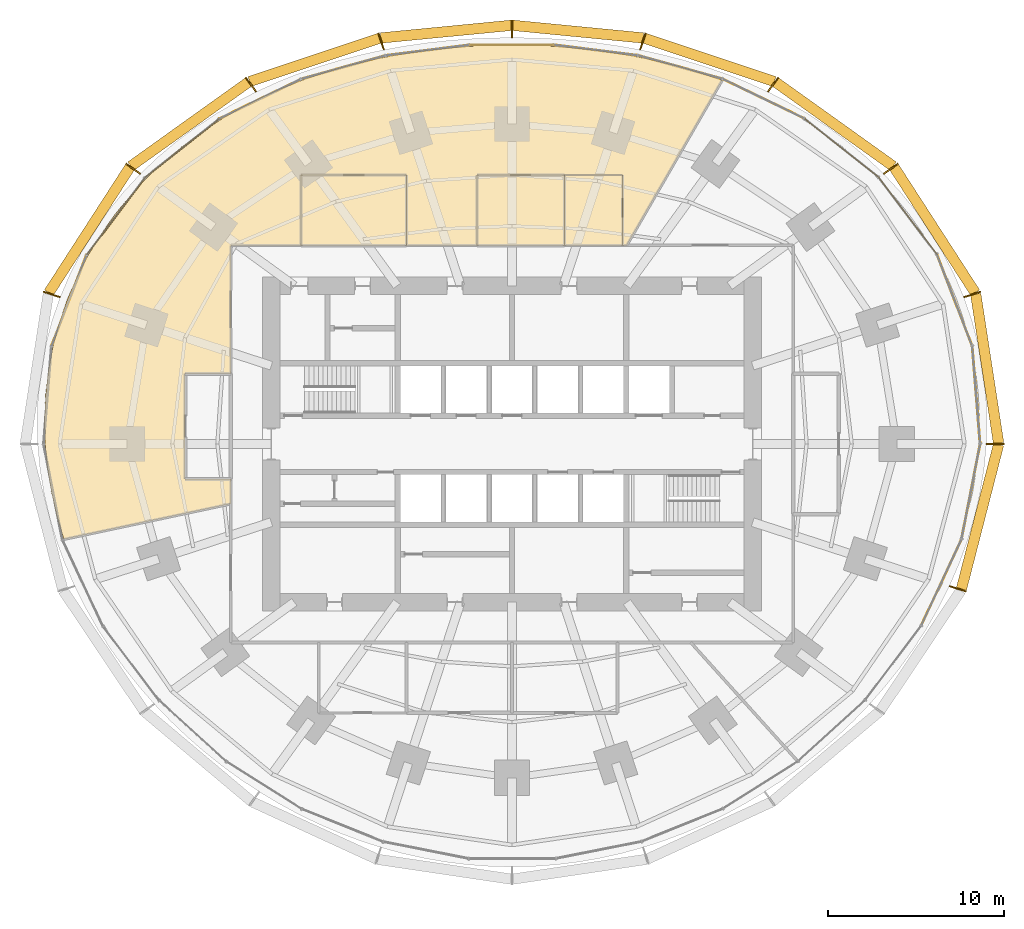
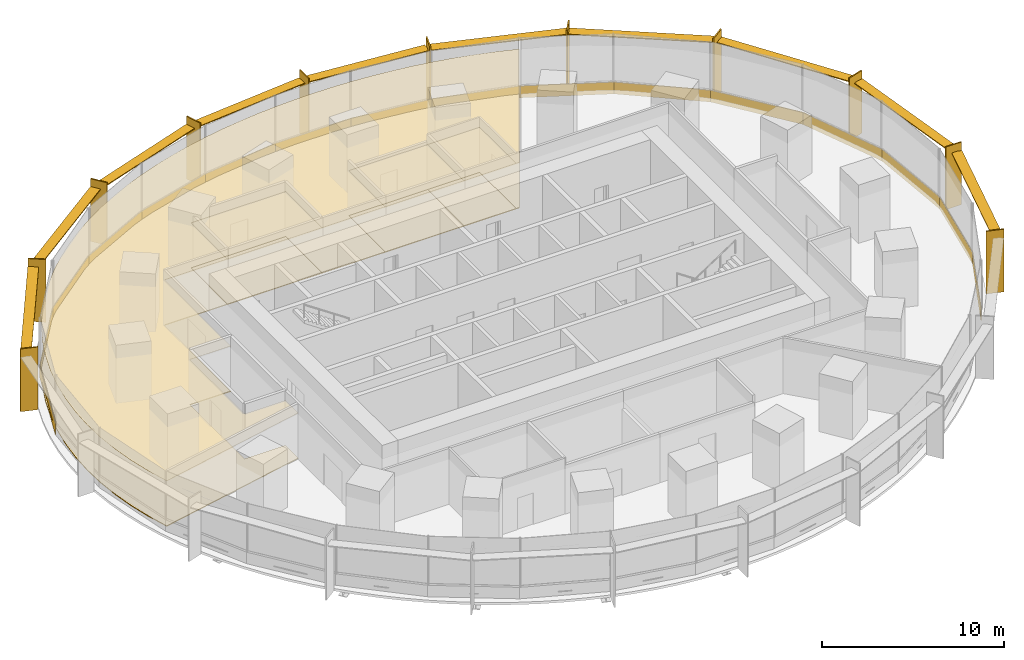
# One storey, part 15 of 15: 24 coverings, 21 shading devices.
"""IFC4 building model written with IfcOpenShell, lengths in metres."""

import ifcopenshell
import ifcopenshell.guid

model = None  # the IFC model being written
_history = None  # IfcOwnerHistory: only IFC2X3 demands one
_inside = {}  # id of a spatial element -> (the spatial element, [elements in it])
_under = {}  # id of a project, library or spatial element -> (it, [spatial elements below it])
_declared = {}  # id of a project -> (the project, [libraries it declares])
_typed = {}  # id of a type object -> (the type object, [elements of that type])
_made_of = {}  # id of a material, layer set ... -> (it, [elements and type objects made of it])


def new_model(schema):
    """Start an empty IFC model of exactly this schema.

    Asked for "IFC4X3", IfcOpenShell would pick the latest addendum, in which some entities
    have other attributes; the version numbers below select the first issue.
    IFC2X3 requires an IfcOwnerHistory on every rooted entity: one is made here for all.
    """
    global model, _history
    if schema == "IFC4X3":
        model = ifcopenshell.file(schema_version=(4, 3, 0, 0))
    else:
        model = ifcopenshell.file(schema=schema)
    _inside.clear()
    _under.clear()
    _declared.clear()
    _typed.clear()
    _made_of.clear()
    _history = None
    if model.schema == "IFC2X3":
        org = make("IfcOrganization", Name="unknown")
        user = make(
            "IfcPersonAndOrganization",
            ThePerson=make("IfcPerson", FamilyName="unknown"),
            TheOrganization=org,
        )
        app = make(
            "IfcApplication",
            ApplicationDeveloper=org,
            Version="unknown",
            ApplicationFullName="unknown",
            ApplicationIdentifier="unknown",
        )
        _history = make(
            "IfcOwnerHistory",
            OwningUser=user,
            OwningApplication=app,
            ChangeAction="ADDED",
            CreationDate=0,
        )
    return model


def make(cls, **values):
    """One entity of the class cls with the attributes given. An attribute that is None is left unset."""
    return model.create_entity(
        cls, **{name: value for name, value in values.items() if value is not None}
    )


def rooted(cls, **values):
    """An entity with a GlobalId (a new one), such as an element, a storey or a relation."""
    return make(cls, GlobalId=ifcopenshell.guid.new(), OwnerHistory=_history, **values)


def si_unit(unit_type, name, prefix=None):
    """IfcSIUnit, for example si_unit("LENGTHUNIT", "METRE", prefix="MILLI")."""
    return make("IfcSIUnit", UnitType=unit_type, Prefix=prefix, Name=name)


def assignment(units):
    """IfcUnitAssignment: the units of a project."""
    return None if units is None else make("IfcUnitAssignment", Units=units)


def point(xyz):
    """IfcCartesianPoint."""
    return None if xyz is None else make("IfcCartesianPoint", Coordinates=xyz)


def direction(xyz):
    """IfcDirection."""
    return None if xyz is None else make("IfcDirection", DirectionRatios=xyz)


def frame(location, z_axis=None, x_axis=None):
    """IfcAxis2Placement3D, a coordinate frame: its origin and axes. An axis left out is left unset."""
    return make(
        "IfcAxis2Placement3D",
        Location=point(location),
        Axis=direction(z_axis),
        RefDirection=direction(x_axis),
    )


def frame_2d(location, x_axis=None):
    """IfcAxis2Placement2D, a coordinate frame in the plane: its origin and x axis."""
    return make(
        "IfcAxis2Placement2D", Location=point(location), RefDirection=direction(x_axis)
    )


def origin():
    """The frame at (0, 0, 0) with its axes left unset."""
    return frame((0.0, 0.0, 0.0))


def origin_2d():
    """The frame at (0, 0) in the plane with its x axis left unset."""
    return frame_2d((0.0, 0.0))


def place(relative_to, where):
    """IfcLocalPlacement: puts the frame where relative to a parent placement (None: the world)."""
    return make(
        "IfcLocalPlacement", PlacementRelTo=relative_to, RelativePlacement=where
    )


def context(
    kind, dimensions, precision=None, world=None, true_north=None, identifier=None
):
    """IfcGeometricRepresentationContext, for example the 3D "Model" context."""
    return make(
        "IfcGeometricRepresentationContext",
        ContextIdentifier=identifier,
        ContextType=kind,
        CoordinateSpaceDimension=dimensions,
        Precision=precision,
        WorldCoordinateSystem=world,
        TrueNorth=true_north,
    )


def subcontext(parent, identifier, kind, view, scale=None):
    """IfcGeometricRepresentationSubContext, for example "Body" below "Model"."""
    return make(
        "IfcGeometricRepresentationSubContext",
        ContextIdentifier=identifier,
        ContextType=kind,
        ParentContext=parent,
        TargetScale=scale,
        TargetView=view,
    )


def project(units=None, contexts=None):
    """IfcProject with its units and contexts."""
    return rooted(
        "IfcProject",
        Name="project",
        RepresentationContexts=contexts,
        UnitsInContext=assignment(units),
    )


def spatial(cls, under=None, at=None, **own):
    """A site, building, storey or space (cls), placed at a placement, below another one or the project."""
    s = rooted(cls, ObjectPlacement=at, **own)
    if under is not None:
        _under.setdefault(under.id(), (under, []))[1].append(s)
    return s


def polyline(points):
    """IfcPolyline through the points."""
    return make("IfcPolyline", Points=[point(p) for p in points])


def profile(cls, at=None, kind="AREA", **sizes):
    """A parametric profile (cls). Its sizes go by their IFC names, for example OverallWidth=200.0."""
    return make(cls, ProfileType=kind, Position=at, **sizes)


def rectangle(**sizes):
    """IfcRectangleProfileDef."""
    return profile("IfcRectangleProfileDef", **sizes)


def outline(outer, holes=None, kind="AREA"):
    """IfcArbitraryClosedProfileDef: a profile drawn as a closed curve; with holes, ...WithVoids."""
    if holes is None:
        return make("IfcArbitraryClosedProfileDef", ProfileType=kind, OuterCurve=outer)
    return make(
        "IfcArbitraryProfileDefWithVoids",
        ProfileType=kind,
        OuterCurve=outer,
        InnerCurves=holes,
    )


def extrude(swept, where, along, depth):
    """IfcExtrudedAreaSolid: the profile swept, set in the frame where, extruded along a direction by depth."""
    return make(
        "IfcExtrudedAreaSolid",
        SweptArea=swept,
        Position=where,
        ExtrudedDirection=direction(along),
        Depth=depth,
    )


def shape(context_of_items, identifier, shape_type, items):
    """IfcShapeRepresentation: the items that make up one representation, for example the "Body"."""
    return make(
        "IfcShapeRepresentation",
        ContextOfItems=context_of_items,
        RepresentationIdentifier=identifier,
        RepresentationType=shape_type,
        Items=items,
    )


def material(Name=None, Category=None):
    """IfcMaterial."""
    return make("IfcMaterial", Name=Name, Category=Category)


def layer(
    of_material, thickness, ventilated=None, Name=None, Category=None, Priority=None
):
    """IfcMaterialLayer: one layer of a wall or slab, of a material (None: an air gap)."""
    return make(
        "IfcMaterialLayer",
        Material=of_material,
        LayerThickness=thickness,
        IsVentilated=ventilated,
        Name=Name,
        Category=Category,
        Priority=Priority,
    )


def layer_set(layers, Name=None):
    """IfcMaterialLayerSet."""
    return make("IfcMaterialLayerSet", MaterialLayers=layers, LayerSetName=Name)


def made_of(thing, what):
    """Note that an element or type object is made of a material, layer set ...; save() writes the relation."""
    if what is not None:
        _made_of.setdefault(what.id(), (what, []))[1].append(thing)
    return thing


def type_object(cls, material=None, **own):
    """A type object (cls), such as IfcWallType, which elements share."""
    return made_of(rooted(cls, **own), material)


def element(
    cls,
    number,
    at=None,
    inside=None,
    cuts=None,
    type_object=None,
    material=None,
    context=None,
    identifier="Body",
    shape_type=None,
    held_by="IfcProductDefinitionShape",
    body=None,
    shapes=None,
    **own,
):
    """One element of the class cls, such as IfcWall. Its Tag is "e" and its number.

    at: its placement. inside: the storey or other place that contains it. cuts: it is an
    opening in that element (IfcRelVoidsElement). A single representation is given by context,
    identifier, shape_type and body (its items); several are given by shapes. held_by: the class
    of the entity that holds the representations. save() writes the other relations.
    """
    e = rooted(cls, Tag="e%d" % number, ObjectPlacement=at, **own)
    if body is not None:
        shapes = [shape(context, identifier, shape_type, body)]
    if shapes is not None:
        e.Representation = make(held_by, Representations=shapes)
    if inside is not None:
        _inside.setdefault(inside.id(), (inside, []))[1].append(e)
    if cuts is not None:
        rooted(
            "IfcRelVoidsElement", RelatingBuildingElement=cuts, RelatedOpeningElement=e
        )
    if type_object is not None:
        _typed.setdefault(type_object.id(), (type_object, []))[1].append(e)
    return made_of(e, material)


def aggregate(whole, parts):
    """IfcRelAggregates: a whole, such as a stair, and the parts it consists of."""
    return rooted("IfcRelAggregates", RelatingObject=whole, RelatedObjects=parts)


def save(model, path):
    """Write the relations noted so far, then the file.

    IfcRelAggregates (storeys below a building ...), IfcRelContainedInSpatialStructure (elements
    in a storey), IfcRelDefinesByType, IfcRelAssociatesMaterial and IfcRelDeclares: one each for
    every whole, place, type object, material and project.
    """
    for whole, parts in _under.values():
        aggregate(whole, parts)
    for where, things in _inside.values():
        rooted(
            "IfcRelContainedInSpatialStructure",
            RelatedElements=things,
            RelatingStructure=where,
        )
    for kind, things in _typed.values():
        rooted("IfcRelDefinesByType", RelatedObjects=things, RelatingType=kind)
    for what, things in _made_of.values():
        rooted("IfcRelAssociatesMaterial", RelatedObjects=things, RelatingMaterial=what)
    for by, libraries in _declared.values():
        rooted("IfcRelDeclares", RelatingContext=by, RelatedDefinitions=libraries)
    model.write(path)


model = new_model("IFC4")

# Units and contexts
model_context = context("Model", 3, precision=1e-05, world=origin(), true_north=direction((0.0, 1.0)))
body_context = subcontext(model_context, "Body", "Model", "MODEL_VIEW")
ifc_project = project(units=[si_unit("LENGTHUNIT", "METRE"), si_unit("AREAUNIT", "SQUARE_METRE"), si_unit("VOLUMEUNIT", "CUBIC_METRE"), si_unit("PLANEANGLEUNIT", "RADIAN"), si_unit("MASSUNIT", "GRAM", prefix="KILO")], contexts=[model_context])

# Site, building, storey
site_placement = place(None, origin())
site = spatial("IfcSite", under=ifc_project, at=site_placement, CompositionType="ELEMENT")
building_placement = place(site_placement, origin())
building = spatial("IfcBuilding", under=site, at=building_placement, Name="Marramba Exchange Tower", CompositionType="ELEMENT")
storey_placement = place(building_placement, frame((0.0, 0.0, 53.199951171875)))
storey = spatial("IfcBuildingStorey", under=building, at=storey_placement, Name="L12", CompositionType="ELEMENT", Elevation=53.199951171875)

# Shading devices
ifc_material_1 = material(Name="Aluminium blade, timber-look bronze finish", Category="wood")
ifc_layer_1 = layer(ifc_material_1, 0.080078125)
ifc_layer_set_1 = layer_set([ifc_layer_1], Name="Floor-edge blade 1000x80")
shading_device_type_1 = type_object("IfcShadingDeviceType", Name="Floor-edge blade 1000x80", PredefinedType="USERDEFINED", material=ifc_layer_set_1)
for number, where, z_axis, x_axis, name in (
    (1, (27.5, 0.0, -0.16015625), (0.0, 0.0, 1.0), (1.0, 0.0, 0.0), "Floor-edge blade FB1 L12 TC01"),
    (2, (26.193115234375, 8.5107421875, -0.16015625), (0.0, 0.0, 1.0), (0.951056516295, 0.309016994375, 0.0), "Floor-edge blade FB1 L12 TC02"),
    (3, (21.56298828125, 15.66650390625, -0.16015625), (0.0, 0.0, 1.0), (0.809016994375, 0.587785252292, 0.0), "Floor-edge blade FB1 L12 TC03"),
    (4, (14.857666015625, 20.449951171875, -0.16015625), (0.0, 0.0, 1.0), (0.587785252292, 0.809016994375, 0.0), "Floor-edge blade FB1 L12 TC04"),
    (5, (7.444091796875, 22.910888671875, -0.16015625), (0.0, 0.0, 1.0), (0.309016994375, 0.951056516295, 0.0), "Floor-edge blade FB1 L12 TC05"),
    (6, (0.0, 23.6279296875, -0.16015625), (0.0, 0.0, 1.0), (0.0, 1.0, 0.0), "Floor-edge blade FB1 L12 TC06"),
    (7, (-7.444091796875, 22.910888671875, -0.16015625), (0.0, 0.0, 1.0), (-0.309016994375, 0.951056516295, 0.0), "Floor-edge blade FB1 L12 TC07"),
    (8, (-14.857666015625, 20.449951171875, -0.16015625), (0.0, 0.0, 1.0), (-0.587785252292, 0.809016994375, 0.0), "Floor-edge blade FB1 L12 TC08"),
    (9, (-21.56298828125, 15.66650390625, -0.16015625), (0.0, 0.0, 1.0), (-0.809016994375, 0.587785252292, 0.0), "Floor-edge blade FB1 L12 TC09"),
    (10, (-26.193115234375, 8.5107421875, -0.16015625), (0.0, 0.0, 1.0), (-0.951056516295, 0.309016994375, 0.0), "Floor-edge blade FB1 L12 TC10"),
    (11, (25.3740234375, -8.24462890625, -0.16015625), (0.0, 0.0, 1.0), (0.951056516295, -0.309016994375, 0.0), "Floor-edge blade FB1 L12 TC20"),
):
    element("IfcShadingDevice", number, at=place(storey_placement, frame(where, z_axis=z_axis, x_axis=x_axis)), inside=storey, type_object=shading_device_type_1, Name=name, ObjectType="FIN", PredefinedType="USERDEFINED", context=body_context, shape_type="SweptSolid", body=[
        extrude(rectangle(XDim=1.0, YDim=0.080078125, at=origin_2d()), origin(), (0.0, 0.0, 1.0), 4.199951171875),
    ])

# Coverings
ifc_material_2 = material(Name="Steel raised access floor panels", Category="steel")
ifc_layer_2 = layer(ifc_material_2, 0.050048828125)
ifc_layer_set_2 = layer_set([ifc_layer_2], Name="Raised access floor 300")
covering_type_1 = type_object("IfcCoveringType", Name="Raised access floor 300", PredefinedType="FLOORING", material=ifc_layer_set_2)
covering_1_placement = place(storey_placement, frame((0.0, 0.0, 0.25)))
element("IfcCovering", 12, at=covering_1_placement, inside=storey, type_object=covering_type_1, Name="Raised access floor RAF1 L12 Trading Floor 2", PredefinedType="FLOORING", context=body_context, shape_type="SweptSolid", body=[
    extrude(outline(polyline([(-16.0, 4.0), (-18.60009765625, 4.0), (-18.60009765625, -2.0), (-16.0, -2.0), (-16.0, -3.40087890625), (-25.50634765625, -5.421630859375), (-25.9013671875, -4.102294921875), (-26.213623046875, -2.755126953125), (-26.43798828125, -1.385498046875), (-26.570068359375, 0.0), (-26.6064453125, 1.394287109375), (-26.544921875, 2.7900390625), (-26.3837890625, 4.1787109375), (-26.123291015625, 5.552734375), (-25.763916015625, 6.9033203125), (-25.30859375, 8.22314453125), (-24.76025390625, 9.50439453125), (-24.12353515625, 10.740478515625), (-23.40380859375, 11.9248046875), (-22.607177734375, 13.05224609375), (-21.740478515625, 14.118408203125), (-20.810791015625, 15.119873046875), (-19.8251953125, 16.05419921875), (-18.791259765625, 16.919677734375), (-17.71630859375, 17.71630859375), (-16.60693359375, 18.44384765625), (-15.4697265625, 19.103759765625), (-14.31103515625, 19.697509765625), (-13.135986328125, 20.2275390625), (-11.94921875, 20.69677734375), (-10.755126953125, 21.10791015625), (-9.556640625, 21.464599609375), (-8.356689453125, 21.76953125), (-7.15673828125, 22.0263671875), (-5.95849609375, 22.23779296875), (-4.7626953125, 22.406982421875), (-3.5693359375, 22.535888671875), (-2.378173828125, 22.62646484375), (-1.188720703125, 22.68017578125), (0.0, 22.697998046875), (1.188720703125, 22.68017578125), (2.378173828125, 22.62646484375), (3.5693359375, 22.535888671875), (4.7626953125, 22.406982421875), (5.95849609375, 22.23779296875), (7.15673828125, 22.0263671875), (8.356689453125, 21.76953125), (9.556640625, 21.464599609375), (10.755126953125, 21.10791015625), (11.94921875, 20.69677734375), (11.58154296875, 20.059814453125), (6.524169921875, 11.300048828125), (6.300048828125, 11.300048828125), (6.300048828125, 15.300048828125), (3.0, 15.300048828125), (-2.0, 15.300048828125), (-2.0, 11.300048828125), (-6.0, 11.300048828125), (-6.0, 15.300048828125), (-12.0, 15.300048828125), (-12.0, 11.300048828125), (-16.0, 11.300048828125), (-16.0, 4.0)])), origin(), (0.0, 0.0, 1.0), 0.050048828125),
])
covering_2_placement = place(storey_placement, frame((0.0, 0.0, 0.25)))
element("IfcCovering", 13, at=covering_2_placement, inside=storey, type_object=covering_type_1, Name="Raised access floor RAF1 L12 Meeting Room 1", PredefinedType="FLOORING", context=body_context, shape_type="SweptSolid", body=[
    extrude(outline(polyline([(3.0, 11.300048828125), (-2.0, 11.300048828125), (-2.0, 15.300048828125), (3.0, 15.300048828125), (3.0, 11.300048828125)])), origin(), (0.0, 0.0, 1.0), 0.050048828125),
])
covering_3_placement = place(storey_placement, frame((0.0, 0.0, 0.25)))
element("IfcCovering", 14, at=covering_3_placement, inside=storey, type_object=covering_type_1, Name="Raised access floor RAF1 L12 Pantry 1", PredefinedType="FLOORING", context=body_context, shape_type="SweptSolid", body=[
    extrude(outline(polyline([(6.300048828125, 11.300048828125), (3.0, 11.300048828125), (3.0, 15.300048828125), (6.300048828125, 15.300048828125), (6.300048828125, 11.300048828125)])), origin(), (0.0, 0.0, 1.0), 0.050048828125),
])
covering_4_placement = place(storey_placement, frame((0.0, 0.0, 0.25)))
element("IfcCovering", 15, at=covering_4_placement, inside=storey, type_object=covering_type_1, Name="Raised access floor RAF1 L12 Meeting Room 2", PredefinedType="FLOORING", context=body_context, shape_type="SweptSolid", body=[
    extrude(outline(polyline([(-6.0, 11.300048828125), (-12.0, 11.300048828125), (-12.0, 15.300048828125), (-6.0, 15.300048828125), (-6.0, 11.300048828125)])), origin(), (0.0, 0.0, 1.0), 0.050048828125),
])

# Shading devices
ifc_material_3 = material(Name="Aluminium sunshade, bronze anodised", Category="aluminium")
ifc_layer_3 = layer(ifc_material_3, 0.06005859375)
ifc_layer_set_3 = layer_set([ifc_layer_3], Name="SUNSHADE blade 600x60")
shading_device_type_2 = type_object("IfcShadingDeviceType", Name="SUNSHADE blade 600x60", PredefinedType="USERDEFINED", material=ifc_layer_set_3)
shading_device_1_placement = place(storey_placement, frame((27.04150390625, 4.2861328125, 3.4599609375), z_axis=(0.0, 0.0, 1.0), x_axis=(-0.151825486228, 0.988407315701, 0.0)))
element("IfcShadingDevice", 16, at=shading_device_1_placement, inside=storey, type_object=shading_device_type_2, Name="Sunshade SS1 L12 bay 01", ObjectType="SUNSHADE", PredefinedType="USERDEFINED", context=body_context, shape_type="SweptSolid", body=[
    extrude(rectangle(XDim=8.593017578125, YDim=0.60009765625, at=origin_2d()), origin(), (0.0, 0.0, 1.0), 0.06005859375),
])
shading_device_2_placement = place(storey_placement, frame((24.053955078125, 12.17822265625, 3.4599609375), z_axis=(0.0, 0.0, 1.0), x_axis=(-0.542596596948, 0.839993412462, 0.0)))
element("IfcShadingDevice", 17, at=shading_device_2_placement, inside=storey, type_object=shading_device_type_2, Name="Sunshade SS1 L12 bay 02", ObjectType="SUNSHADE", PredefinedType="USERDEFINED", context=body_context, shape_type="SweptSolid", body=[
    extrude(rectangle(XDim=8.50537109375, YDim=0.60009765625, at=origin_2d()), origin(), (0.0, 0.0, 1.0), 0.06005859375),
])
shading_device_3_placement = place(storey_placement, frame((18.35009765625, 18.19775390625, 3.4599609375), z_axis=(0.0, 0.0, 1.0), x_axis=(-0.813362978246, 0.581756534659, 0.0)))
element("IfcShadingDevice", 18, at=shading_device_3_placement, inside=storey, type_object=shading_device_type_2, Name="Sunshade SS1 L12 bay 03", ObjectType="SUNSHADE", PredefinedType="USERDEFINED", context=body_context, shape_type="SweptSolid", body=[
    extrude(rectangle(XDim=8.218505859375, YDim=0.60009765625, at=origin_2d()), origin(), (0.0, 0.0, 1.0), 0.06005859375),
])
shading_device_4_placement = place(storey_placement, frame((11.24072265625, 21.8564453125, 3.4599609375), z_axis=(0.0, 0.0, 1.0), x_axis=(-0.948697789537, 0.316184288235, 0.0)))
element("IfcShadingDevice", 19, at=shading_device_4_placement, inside=storey, type_object=shading_device_type_2, Name="Sunshade SS1 L12 bay 04", ObjectType="SUNSHADE", PredefinedType="USERDEFINED", context=body_context, shape_type="SweptSolid", body=[
    extrude(rectangle(XDim=7.793212890625, YDim=0.60009765625, at=origin_2d()), origin(), (0.0, 0.0, 1.0), 0.06005859375),
])
for number, where, z_axis, x_axis, name in (
    (20, (3.7529296875, 23.464599609375, 3.4599609375), (0.0, 0.0, 1.0), (-0.995342876176, 0.096397919302, 0.0), "Sunshade SS1 L12 bay 05"),
    (21, (-3.7529296875, 23.464599609375, 3.4599609375), (0.0, 0.0, 1.0), (-0.995342876176, -0.096397919302, 0.0), "Sunshade SS1 L12 bay 06"),
):
    element("IfcShadingDevice", number, at=place(storey_placement, frame(where, z_axis=z_axis, x_axis=x_axis)), inside=storey, type_object=shading_device_type_2, Name=name, ObjectType="SUNSHADE", PredefinedType="USERDEFINED", context=body_context, shape_type="SweptSolid", body=[
        extrude(rectangle(XDim=7.461181640625, YDim=0.60009765625, at=origin_2d()), origin(), (0.0, 0.0, 1.0), 0.06005859375),
    ])
shading_device_5_placement = place(storey_placement, frame((-11.24072265625, 21.8564453125, 3.4599609375), z_axis=(0.0, 0.0, 1.0), x_axis=(-0.948697789537, -0.316184288235, 0.0)))
element("IfcShadingDevice", 22, at=shading_device_5_placement, inside=storey, type_object=shading_device_type_2, Name="Sunshade SS1 L12 bay 07", ObjectType="SUNSHADE", PredefinedType="USERDEFINED", context=body_context, shape_type="SweptSolid", body=[
    extrude(rectangle(XDim=7.793212890625, YDim=0.60009765625, at=origin_2d()), origin(), (0.0, 0.0, 1.0), 0.06005859375),
])
shading_device_6_placement = place(storey_placement, frame((-18.35009765625, 18.19775390625, 3.4599609375), z_axis=(0.0, 0.0, 1.0), x_axis=(-0.813362978246, -0.581756534659, 0.0)))
element("IfcShadingDevice", 23, at=shading_device_6_placement, inside=storey, type_object=shading_device_type_2, Name="Sunshade SS1 L12 bay 08", ObjectType="SUNSHADE", PredefinedType="USERDEFINED", context=body_context, shape_type="SweptSolid", body=[
    extrude(rectangle(XDim=8.218505859375, YDim=0.60009765625, at=origin_2d()), origin(), (0.0, 0.0, 1.0), 0.06005859375),
])
shading_device_7_placement = place(storey_placement, frame((-24.053955078125, 12.17822265625, 3.4599609375), z_axis=(0.0, 0.0, 1.0), x_axis=(-0.542596596948, -0.839993412462, 0.0)))
element("IfcShadingDevice", 24, at=shading_device_7_placement, inside=storey, type_object=shading_device_type_2, Name="Sunshade SS1 L12 bay 09", ObjectType="SUNSHADE", PredefinedType="USERDEFINED", context=body_context, shape_type="SweptSolid", body=[
    extrude(rectangle(XDim=8.50537109375, YDim=0.60009765625, at=origin_2d()), origin(), (0.0, 0.0, 1.0), 0.06005859375),
])
shading_device_8_placement = place(storey_placement, frame((26.632080078125, -4.153076171875, 3.4599609375), z_axis=(0.0, 0.0, 1.0), x_axis=(0.249024641331, 0.968497149201, 0.0)))
element("IfcShadingDevice", 25, at=shading_device_8_placement, inside=storey, type_object=shading_device_type_2, Name="Sunshade SS1 L12 bay 20", ObjectType="SUNSHADE", PredefinedType="USERDEFINED", context=body_context, shape_type="SweptSolid", body=[
    extrude(rectangle(XDim=8.49658203125, YDim=0.60009765625, at=origin_2d()), origin(), (0.0, 0.0, 1.0), 0.06005859375),
])

# Coverings
ifc_material_4 = material(Name="Aluminium spandrel panel, bronze anodised, insulated", Category="aluminium")
ifc_layer_4 = layer(ifc_material_4, 0.050048828125)
ifc_layer_set_4 = layer_set([ifc_layer_4], Name="Spandrel panel 800")
covering_type_2 = type_object("IfcCoveringType", Name="Spandrel panel 800", PredefinedType="CLADDING", material=ifc_layer_set_4)
covering_5_placement = place(storey_placement, frame((26.42578125, 2.78466796875, 0.0), z_axis=(0.0, 0.0, 1.0), x_axis=(-0.080275227657, 0.996772736297, 0.0)))
element("IfcCovering", 26, at=covering_5_placement, inside=storey, type_object=covering_type_2, Name="Spandrel panel SP1 L12 F01", PredefinedType="CLADDING", context=body_context, shape_type="SweptSolid", body=[
    extrude(rectangle(XDim=5.58740234375, YDim=0.050048828125, at=origin_2d()), origin(), (0.0, 0.0, 1.0), 0.800048828125),
])
covering_6_placement = place(storey_placement, frame((25.198974609375, 8.171142578125, 0.0), z_axis=(0.0, 0.0, 1.0), x_axis=(-0.359525512701, 0.933135255854, 0.0)))
element("IfcCovering", 27, at=covering_6_placement, inside=storey, type_object=covering_type_2, Name="Spandrel panel SP1 L12 F02", PredefinedType="CLADDING", context=body_context, shape_type="SweptSolid", body=[
    extrude(rectangle(XDim=5.57666015625, YDim=0.050048828125, at=origin_2d()), origin(), (0.0, 0.0, 1.0), 0.800048828125),
])
covering_7_placement = place(storey_placement, frame((22.535888671875, 12.969970703125, 0.0), z_axis=(0.0, 0.0, 1.0), x_axis=(-0.602989761876, 0.797748924834, 0.0)))
element("IfcCovering", 28, at=covering_7_placement, inside=storey, type_object=covering_type_2, Name="Spandrel panel SP1 L12 F03", PredefinedType="CLADDING", context=body_context, shape_type="SweptSolid", body=[
    extrude(rectangle(XDim=5.5078125, YDim=0.050048828125, at=origin_2d()), origin(), (0.0, 0.0, 1.0), 0.800048828125),
])
covering_8_placement = place(storey_placement, frame((18.767822265625, 16.8349609375, 0.0), z_axis=(0.0, 0.0, 1.0), x_axis=(-0.784087946735, 0.620649733574, 0.0)))
element("IfcCovering", 29, at=covering_8_placement, inside=storey, type_object=covering_type_2, Name="Spandrel panel SP1 L12 F04", PredefinedType="CLADDING", context=body_context, shape_type="SweptSolid", body=[
    extrude(rectangle(XDim=5.375732421875, YDim=0.050048828125, at=origin_2d()), origin(), (0.0, 0.0, 1.0), 0.800048828125),
])
covering_9_placement = place(storey_placement, frame((14.324951171875, 19.634765625, 0.0), z_axis=(0.0, 0.0, 1.0), x_axis=(-0.899963432359, 0.435965389012, 0.0)))
element("IfcCovering", 30, at=covering_9_placement, inside=storey, type_object=covering_type_2, Name="Spandrel panel SP1 L12 F05", PredefinedType="CLADDING", context=body_context, shape_type="SweptSolid", body=[
    extrude(rectangle(XDim=5.1904296875, YDim=0.050048828125, at=origin_2d()), origin(), (0.0, 0.0, 1.0), 0.800048828125),
])
covering_10_placement = place(storey_placement, frame((9.58544921875, 21.434326171875, 0.0), z_axis=(0.0, 0.0, 1.0), x_axis=(-0.963472098411, 0.267808729475, 0.0)))
element("IfcCovering", 31, at=covering_10_placement, inside=storey, type_object=covering_type_2, Name="Spandrel panel SP1 L12 F06", PredefinedType="CLADDING", context=body_context, shape_type="SweptSolid", body=[
    extrude(rectangle(XDim=4.989990234375, YDim=0.050048828125, at=origin_2d()), origin(), (0.0, 0.0, 1.0), 0.800048828125),
])
covering_11_placement = place(storey_placement, frame((4.783935546875, 22.404296875, 0.0), z_axis=(0.0, 0.0, 1.0), x_axis=(-0.992172768222, 0.124872727203, 0.0)))
element("IfcCovering", 32, at=covering_11_placement, inside=storey, type_object=covering_type_2, Name="Spandrel panel SP1 L12 F07", PredefinedType="CLADDING", context=body_context, shape_type="SweptSolid", body=[
    extrude(rectangle(XDim=4.832763671875, YDim=0.050048828125, at=origin_2d()), origin(), (0.0, 0.0, 1.0), 0.800048828125),
])
covering_12_placement = place(storey_placement, frame((0.0, 22.7060546875, 0.0), z_axis=(0.0, 0.0, 1.0), x_axis=(-1.0, 0.0, 0.0)))
element("IfcCovering", 33, at=covering_12_placement, inside=storey, type_object=covering_type_2, Name="Spandrel panel SP1 L12 F08", PredefinedType="CLADDING", context=body_context, shape_type="SweptSolid", body=[
    extrude(rectangle(XDim=4.77294921875, YDim=0.050048828125, at=origin_2d()), origin(), (0.0, 0.0, 1.0), 0.800048828125),
])
covering_13_placement = place(storey_placement, frame((-4.783935546875, 22.404296875, 0.0), z_axis=(0.0, 0.0, 1.0), x_axis=(-0.992172768222, -0.124872727203, 0.0)))
element("IfcCovering", 34, at=covering_13_placement, inside=storey, type_object=covering_type_2, Name="Spandrel panel SP1 L12 F09", PredefinedType="CLADDING", context=body_context, shape_type="SweptSolid", body=[
    extrude(rectangle(XDim=4.832763671875, YDim=0.050048828125, at=origin_2d()), origin(), (0.0, 0.0, 1.0), 0.800048828125),
])
covering_14_placement = place(storey_placement, frame((-9.58544921875, 21.434326171875, 0.0), z_axis=(0.0, 0.0, 1.0), x_axis=(-0.963472098411, -0.267808729475, 0.0)))
element("IfcCovering", 35, at=covering_14_placement, inside=storey, type_object=covering_type_2, Name="Spandrel panel SP1 L12 F10", PredefinedType="CLADDING", context=body_context, shape_type="SweptSolid", body=[
    extrude(rectangle(XDim=4.989990234375, YDim=0.050048828125, at=origin_2d()), origin(), (0.0, 0.0, 1.0), 0.800048828125),
])
covering_15_placement = place(storey_placement, frame((-14.324951171875, 19.634765625, 0.0), z_axis=(0.0, 0.0, 1.0), x_axis=(-0.899963432359, -0.435965389012, 0.0)))
element("IfcCovering", 36, at=covering_15_placement, inside=storey, type_object=covering_type_2, Name="Spandrel panel SP1 L12 F11", PredefinedType="CLADDING", context=body_context, shape_type="SweptSolid", body=[
    extrude(rectangle(XDim=5.1904296875, YDim=0.050048828125, at=origin_2d()), origin(), (0.0, 0.0, 1.0), 0.800048828125),
])
covering_16_placement = place(storey_placement, frame((-18.767822265625, 16.8349609375, 0.0), z_axis=(0.0, 0.0, 1.0), x_axis=(-0.784087946735, -0.620649733574, 0.0)))
element("IfcCovering", 37, at=covering_16_placement, inside=storey, type_object=covering_type_2, Name="Spandrel panel SP1 L12 F12", PredefinedType="CLADDING", context=body_context, shape_type="SweptSolid", body=[
    extrude(rectangle(XDim=5.375732421875, YDim=0.050048828125, at=origin_2d()), origin(), (0.0, 0.0, 1.0), 0.800048828125),
])
covering_17_placement = place(storey_placement, frame((-22.535888671875, 12.969970703125, 0.0), z_axis=(0.0, 0.0, 1.0), x_axis=(-0.602989761876, -0.797748924834, 0.0)))
element("IfcCovering", 38, at=covering_17_placement, inside=storey, type_object=covering_type_2, Name="Spandrel panel SP1 L12 F13", PredefinedType="CLADDING", context=body_context, shape_type="SweptSolid", body=[
    extrude(rectangle(XDim=5.5078125, YDim=0.050048828125, at=origin_2d()), origin(), (0.0, 0.0, 1.0), 0.800048828125),
])
covering_18_placement = place(storey_placement, frame((-25.198974609375, 8.171142578125, 0.0), z_axis=(0.0, 0.0, 1.0), x_axis=(-0.359525512701, -0.933135255854, 0.0)))
element("IfcCovering", 39, at=covering_18_placement, inside=storey, type_object=covering_type_2, Name="Spandrel panel SP1 L12 F14", PredefinedType="CLADDING", context=body_context, shape_type="SweptSolid", body=[
    extrude(rectangle(XDim=5.57666015625, YDim=0.050048828125, at=origin_2d()), origin(), (0.0, 0.0, 1.0), 0.800048828125),
])
covering_19_placement = place(storey_placement, frame((24.432861328125, -7.90185546875, 0.0), z_axis=(0.0, 0.0, 1.0), x_axis=(0.423477213559, 0.905906755464, 0.0)))
element("IfcCovering", 40, at=covering_19_placement, inside=storey, type_object=covering_type_2, Name="Spandrel panel SP1 L12 F29", PredefinedType="CLADDING", context=body_context, shape_type="SweptSolid", body=[
    extrude(rectangle(XDim=5.439208984375, YDim=0.050048828125, at=origin_2d()), origin(), (0.0, 0.0, 1.0), 0.800048828125),
])
covering_20_placement = place(storey_placement, frame((26.117431640625, -2.718994140625, 0.0), z_axis=(0.0, 0.0, 1.0), x_axis=(0.19224858127, 0.981346260501, 0.0)))
element("IfcCovering", 41, at=covering_20_placement, inside=storey, type_object=covering_type_2, Name="Spandrel panel SP1 L12 F30", PredefinedType="CLADDING", context=body_context, shape_type="SweptSolid", body=[
    extrude(rectangle(XDim=5.54150390625, YDim=0.050048828125, at=origin_2d()), origin(), (0.0, 0.0, 1.0), 0.800048828125),
])
ifc_material_5 = material(Name="Mineral fibre ceiling tiles", Category="gypsum")
ifc_layer_5 = layer(ifc_material_5, 0.02001953125)
ifc_layer_set_5 = layer_set([ifc_layer_5], Name="Suspended ceiling 20")
covering_type_3 = type_object("IfcCoveringType", Name="Suspended ceiling 20", PredefinedType="CEILING", material=ifc_layer_set_5)
covering_21_placement = place(storey_placement, frame((0.0, 0.0, 3.300048828125)))
element("IfcCovering", 42, at=covering_21_placement, inside=storey, type_object=covering_type_3, Name="Ceiling CL1 L12 Trading Floor 2", PredefinedType="CEILING", context=body_context, shape_type="SweptSolid", body=[
    extrude(outline(polyline([(-16.0, 4.0), (-18.60009765625, 4.0), (-18.60009765625, -2.0), (-16.0, -2.0), (-16.0, -3.40087890625), (-25.50634765625, -5.421630859375), (-25.9013671875, -4.102294921875), (-26.213623046875, -2.755126953125), (-26.43798828125, -1.385498046875), (-26.570068359375, 0.0), (-26.6064453125, 1.394287109375), (-26.544921875, 2.7900390625), (-26.3837890625, 4.1787109375), (-26.123291015625, 5.552734375), (-25.763916015625, 6.9033203125), (-25.30859375, 8.22314453125), (-24.76025390625, 9.50439453125), (-24.12353515625, 10.740478515625), (-23.40380859375, 11.9248046875), (-22.607177734375, 13.05224609375), (-21.740478515625, 14.118408203125), (-20.810791015625, 15.119873046875), (-19.8251953125, 16.05419921875), (-18.791259765625, 16.919677734375), (-17.71630859375, 17.71630859375), (-16.60693359375, 18.44384765625), (-15.4697265625, 19.103759765625), (-14.31103515625, 19.697509765625), (-13.135986328125, 20.2275390625), (-11.94921875, 20.69677734375), (-10.755126953125, 21.10791015625), (-9.556640625, 21.464599609375), (-8.356689453125, 21.76953125), (-7.15673828125, 22.0263671875), (-5.95849609375, 22.23779296875), (-4.7626953125, 22.406982421875), (-3.5693359375, 22.535888671875), (-2.378173828125, 22.62646484375), (-1.188720703125, 22.68017578125), (0.0, 22.697998046875), (1.188720703125, 22.68017578125), (2.378173828125, 22.62646484375), (3.5693359375, 22.535888671875), (4.7626953125, 22.406982421875), (5.95849609375, 22.23779296875), (7.15673828125, 22.0263671875), (8.356689453125, 21.76953125), (9.556640625, 21.464599609375), (10.755126953125, 21.10791015625), (11.94921875, 20.69677734375), (11.58154296875, 20.059814453125), (6.524169921875, 11.300048828125), (6.300048828125, 11.300048828125), (6.300048828125, 15.300048828125), (3.0, 15.300048828125), (-2.0, 15.300048828125), (-2.0, 11.300048828125), (-6.0, 11.300048828125), (-6.0, 15.300048828125), (-12.0, 15.300048828125), (-12.0, 11.300048828125), (-16.0, 11.300048828125), (-16.0, 4.0)])), origin(), (0.0, 0.0, 1.0), 0.02001953125),
])
covering_22_placement = place(storey_placement, frame((0.0, 0.0, 3.300048828125)))
element("IfcCovering", 43, at=covering_22_placement, inside=storey, type_object=covering_type_3, Name="Ceiling CL1 L12 Meeting Room 1", PredefinedType="CEILING", context=body_context, shape_type="SweptSolid", body=[
    extrude(outline(polyline([(3.0, 11.300048828125), (-2.0, 11.300048828125), (-2.0, 15.300048828125), (3.0, 15.300048828125), (3.0, 11.300048828125)])), origin(), (0.0, 0.0, 1.0), 0.02001953125),
])
covering_23_placement = place(storey_placement, frame((0.0, 0.0, 3.300048828125)))
element("IfcCovering", 44, at=covering_23_placement, inside=storey, type_object=covering_type_3, Name="Ceiling CL1 L12 Pantry 1", PredefinedType="CEILING", context=body_context, shape_type="SweptSolid", body=[
    extrude(outline(polyline([(6.300048828125, 11.300048828125), (3.0, 11.300048828125), (3.0, 15.300048828125), (6.300048828125, 15.300048828125), (6.300048828125, 11.300048828125)])), origin(), (0.0, 0.0, 1.0), 0.02001953125),
])
covering_24_placement = place(storey_placement, frame((0.0, 0.0, 3.300048828125)))
element("IfcCovering", 45, at=covering_24_placement, inside=storey, type_object=covering_type_3, Name="Ceiling CL1 L12 Meeting Room 2", PredefinedType="CEILING", context=body_context, shape_type="SweptSolid", body=[
    extrude(outline(polyline([(-6.0, 11.300048828125), (-12.0, 11.300048828125), (-12.0, 15.300048828125), (-6.0, 15.300048828125), (-6.0, 11.300048828125)])), origin(), (0.0, 0.0, 1.0), 0.02001953125),
])

save(model, "model.ifc")
